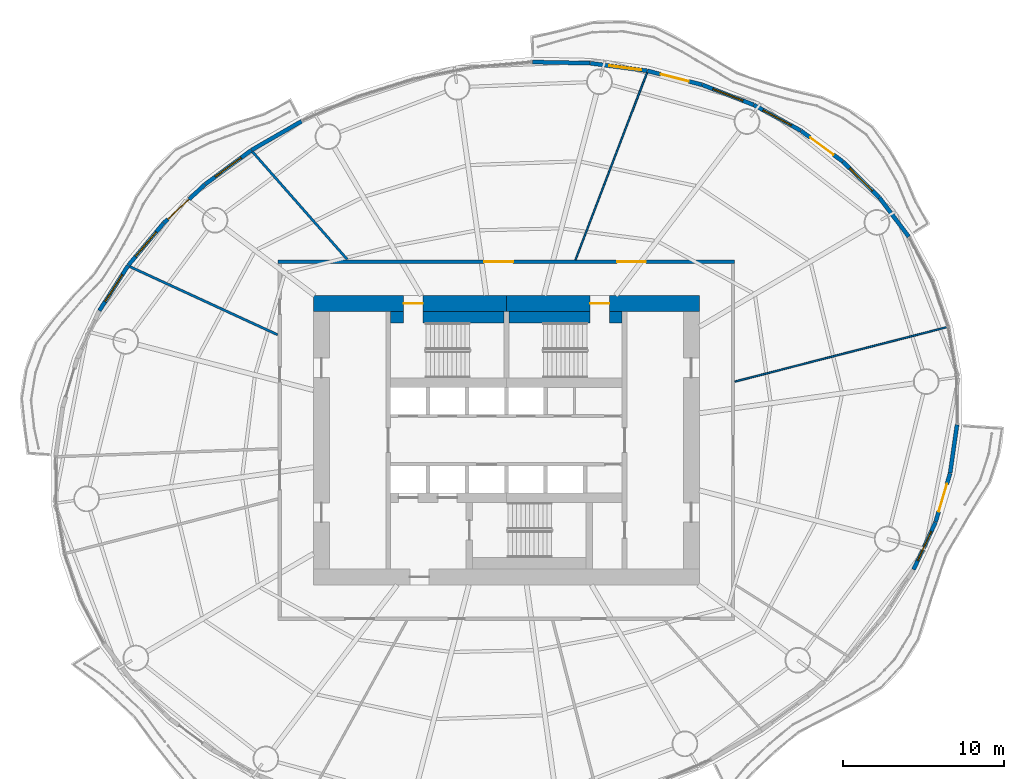
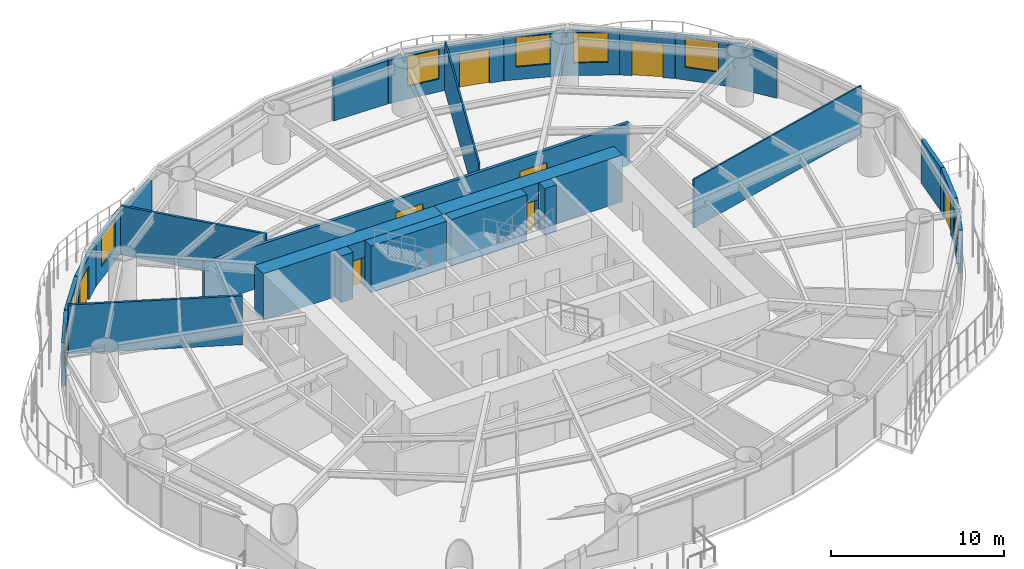
# One storey, part 10 of 17: 27 walls, 8 doors, 8 windows, 16 openings.
"""IFC4 building model written with IfcOpenShell, lengths in metres."""

from ifc_helpers import new_model, si_unit, direction, frame, frame_2d, origin, place, context, subcontext, project, spatial, rectangle, extrude, material, layer, layer_set, type_object, element, fill, save


model = new_model("IFC4")

# Units and contexts
model_context = context("Model", 3, precision=1e-05, world=origin(), true_north=direction((0.0, 1.0)))
body_context = subcontext(model_context, "Body", "Model", "MODEL_VIEW")
ifc_project = project(units=[si_unit("LENGTHUNIT", "METRE"), si_unit("AREAUNIT", "SQUARE_METRE"), si_unit("VOLUMEUNIT", "CUBIC_METRE"), si_unit("PLANEANGLEUNIT", "RADIAN"), si_unit("MASSUNIT", "GRAM", prefix="KILO")], contexts=[model_context])

# Site, building, storey
site_placement = place(None, origin())
site = spatial("IfcSite", under=ifc_project, at=site_placement, CompositionType="ELEMENT")
building_placement = place(site_placement, origin())
building = spatial("IfcBuilding", under=site, at=building_placement, Name="Vermilion Reach Broadcast Tower", CompositionType="ELEMENT")
storey_placement = place(building_placement, frame((0.0, 0.0, 92.199951171875)))
storey = spatial("IfcBuildingStorey", under=building, at=storey_placement, Name="L20", CompositionType="ELEMENT", Elevation=92.199951171875)

# Wall, opening, door
ifc_material_1 = material(Name="Concrete C70", Category="concrete")
ifc_layer_1 = layer(ifc_material_1, 1.0)
ifc_layer_set_1 = layer_set([ifc_layer_1], Name="Core outer wall 1000 mm Concrete C70")
wall_type_1 = type_object("IfcWallType", Name="Core outer wall 1000 mm Concrete C70", PredefinedType="SHEAR", material=ifc_layer_set_1)
wall_1_placement = place(storey_placement, frame((6.0, 8.5, 0.0), z_axis=(0.0, 0.0, 1.0), x_axis=(-1.0, 0.0, 0.0)))
wall_1 = element("IfcWall", 1, at=wall_1_placement, inside=storey, type_object=wall_type_1, Name="L20 core wall onE", PredefinedType="SHEAR", context=body_context, shape_type="SweptSolid", body=[
    extrude(rectangle(XDim=12.0, YDim=1.0, at=frame_2d((6.0, 0.0))), origin(), (0.0, 0.0, 1.0), 3.300048828125),
])
opening_1_placement = place(wall_1_placement, frame((5.60009765625, 0.0, 0.0)))
opening_1 = element("IfcOpeningElement", 2, at=opening_1_placement, cuts=wall_1, Name="Opening D01", PredefinedType="OPENING", context=body_context, shape_type="SweptSolid", body=[
    extrude(rectangle(XDim=1.199951171875, YDim=2.10009765625, at=frame_2d((0.60009765625, 1.050048828125))), frame((0.0, 0.510009765625, 0.0), z_axis=(0.0, -1.0, 0.0), x_axis=(1.0, 0.0, 0.0)), (0.0, 0.0, 1.0), 1.02001953125),
])
ifc_material_2 = material(Name="Painted steel fire door", Category="steel")
door_type_1 = type_object("IfcDoorType", Name="Stair door 1200 x 2100", OperationType="DOUBLE_DOOR_SINGLE_SWING", PredefinedType="NOTDEFINED", material=ifc_material_2)
door_1_placement = place(opening_1_placement, origin())
door_1 = element("IfcDoor", 3, at=door_1_placement, inside=storey, type_object=door_type_1, Name="L20 stair door ST2", OperationType="DOUBLE_DOOR_SINGLE_SWING", OverallHeight=2.10009765625, OverallWidth=1.199951171875, PredefinedType="NOTDEFINED", context=body_context, shape_type="SweptSolid", body=[
    extrude(rectangle(XDim=1.199951171875, YDim=2.10009765625, at=frame_2d((0.60009765625, 1.050048828125))), frame((0.0, 0.02490234375, 0.0), z_axis=(0.0, -1.0, 0.0), x_axis=(1.0, 0.0, 0.0)), (0.0, 0.0, 1.0), 0.050048828125),
])
fill(opening_1, door_1)

wall_2_placement = place(storey_placement, frame((-6.0, 8.5, 0.0), z_axis=(0.0, 0.0, 1.0), x_axis=(-1.0, 0.0, 0.0)))
wall_2 = element("IfcWall", 4, at=wall_2_placement, inside=storey, type_object=wall_type_1, Name="L20 core wall onW", PredefinedType="SHEAR", context=body_context, shape_type="SweptSolid", body=[
    extrude(rectangle(XDim=12.0, YDim=1.0, at=frame_2d((6.0, 0.0))), origin(), (0.0, 0.0, 1.0), 3.300048828125),
])
opening_2_placement = place(wall_2_placement, frame((5.199951171875, 0.0, 0.0)))
opening_2 = element("IfcOpeningElement", 5, at=opening_2_placement, cuts=wall_2, Name="Opening D01", PredefinedType="OPENING", context=body_context, shape_type="SweptSolid", body=[
    extrude(rectangle(XDim=1.199951171875, YDim=2.10009765625, at=frame_2d((0.60009765625, 1.050048828125))), frame((0.0, 0.510009765625, 0.0), z_axis=(0.0, -1.0, 0.0), x_axis=(1.0, 0.0, 0.0)), (0.0, 0.0, 1.0), 1.02001953125),
])
door_2_placement = place(opening_2_placement, origin())
door_2 = element("IfcDoor", 6, at=door_2_placement, inside=storey, type_object=door_type_1, Name="L20 stair door ST1", OperationType="DOUBLE_DOOR_SINGLE_SWING", OverallHeight=2.10009765625, OverallWidth=1.199951171875, PredefinedType="NOTDEFINED", context=body_context, shape_type="SweptSolid", body=[
    extrude(rectangle(XDim=1.199951171875, YDim=2.10009765625, at=frame_2d((0.60009765625, 1.050048828125))), frame((0.0, 0.02490234375, 0.0), z_axis=(0.0, -1.0, 0.0), x_axis=(1.0, 0.0, 0.0)), (0.0, 0.0, 1.0), 0.050048828125),
])
fill(opening_2, door_2)

# Walls
ifc_material_3 = material(Name="Concrete C70", Category="concrete")
ifc_layer_2 = layer(ifc_material_3, 0.699951171875)
ifc_layer_set_2 = layer_set([ifc_layer_2], Name="Core stair wall 700 mm Concrete C70")
wall_type_2 = type_object("IfcWallType", Name="Core stair wall 700 mm Concrete C70", PredefinedType="SHEAR", material=ifc_layer_set_2)
wall_3_placement = place(storey_placement, frame((-13.199951171875, 7.64990234375, 0.0), z_axis=(0.0, 0.0, 1.0), x_axis=(1.0, 0.0, 0.0)))
element("IfcWall", 7, at=wall_3_placement, inside=storey, type_object=wall_type_2, Name="L20 core wall l1a", PredefinedType="SHEAR", context=body_context, shape_type="SweptSolid", body=[
    extrude(rectangle(XDim=0.800048828125, YDim=0.699951171875, at=frame_2d((0.39990234375, 0.0))), origin(), (0.0, 0.0, 1.0), 3.300048828125),
])
for number, where, z_axis, x_axis, name in (
    (8, (-11.199951171875, 7.64990234375, 0.0), (0.0, 0.0, 1.0), (1.0, 0.0, 0.0), "L20 core wall l1b"),
    (9, (-5.85009765625, 7.64990234375, 0.0), (0.0, 0.0, 1.0), (1.0, 0.0, 0.0), "L20 core wall l2a"),
):
    element("IfcWall", number, at=place(storey_placement, frame(where, z_axis=z_axis, x_axis=x_axis)), inside=storey, type_object=wall_type_2, Name=name, PredefinedType="SHEAR", context=body_context, shape_type="SweptSolid", body=[
        extrude(rectangle(XDim=5.050048828125, YDim=0.699951171875, at=frame_2d((2.52490234375, 0.0))), origin(), (0.0, 0.0, 1.0), 3.300048828125),
    ])
wall_4_placement = place(storey_placement, frame((0.39990234375, 7.64990234375, 0.0), z_axis=(0.0, 0.0, 1.0), x_axis=(1.0, 0.0, 0.0)))
element("IfcWall", 10, at=wall_4_placement, inside=storey, type_object=wall_type_2, Name="L20 core wall l2b", PredefinedType="SHEAR", context=body_context, shape_type="SweptSolid", body=[
    extrude(rectangle(XDim=0.800048828125, YDim=0.699951171875, at=frame_2d((0.39990234375, 0.0))), origin(), (0.0, 0.0, 1.0), 3.300048828125),
])
ifc_material_4 = material(Name="Plasterboard on steel stud", Category="steel")
ifc_layer_3 = layer(ifc_material_4, 0.10009765625)
ifc_layer_set_3 = layer_set([ifc_layer_3], Name="Partition 100 steel stud")
wall_type_3 = type_object("IfcWallType", Name="Partition 100 steel stud", PredefinedType="PARTITIONING", material=ifc_layer_set_3)
wall_5_placement = place(storey_placement, frame((21.353515625, 7.023193359375, 0.0), z_axis=(0.0, 0.0, 1.0), x_axis=(-0.968583888686, -0.248687053499, 0.0)))
element("IfcWall", 11, at=wall_5_placement, inside=storey, type_object=wall_type_3, Name="Partition 20.01", PredefinedType="PARTITIONING", context=body_context, shape_type="SweptSolid", body=[
    extrude(rectangle(XDim=13.5673828125, YDim=0.10009765625, at=frame_2d((6.78369140625, 0.0))), origin(), (0.0, 0.0, 1.0), 3.449951171875),
])
wall_6_placement = place(storey_placement, frame((2.742919921875, 22.850830078125, 0.0), z_axis=(0.0, 0.0, 1.0), x_axis=(-0.357347196161, -0.933971617018, 0.0)))
element("IfcWall", 12, at=wall_6_placement, inside=storey, type_object=wall_type_3, Name="Partition 20.02", PredefinedType="PARTITIONING", context=body_context, shape_type="SweptSolid", body=[
    extrude(rectangle(XDim=12.45556640625, YDim=0.10009765625, at=frame_2d((6.227783203125, 0.0))), origin(), (0.0, 0.0, 1.0), 3.449951171875),
])
ifc_material_5 = material(Name="Lightweight concrete block, plastered", Category="concrete")
ifc_layer_4 = layer(ifc_material_5, 0.14990234375)
ifc_layer_set_4 = layer_set([ifc_layer_4], Name="Partition 150 lightweight block")
wall_type_4 = type_object("IfcWallType", Name="Partition 150 lightweight block", PredefinedType="PARTITIONING", material=ifc_layer_set_4)
wall_7_placement = place(storey_placement, frame((-21.789794921875, 17.936279296875, 0.0), z_axis=(0.0, 0.0, 1.0), x_axis=(0.660761943982, -0.750595532484, 0.0)))
element("IfcWall", 13, at=wall_7_placement, inside=storey, type_object=wall_type_4, Name="Partition 20.03", PredefinedType="PARTITIONING", context=body_context, shape_type="SweptSolid", body=[
    extrude(rectangle(XDim=8.90869140625, YDim=0.14990234375, at=frame_2d((4.454345703125, 0.0))), origin(), (0.0, 0.0, 1.0), 3.449951171875),
])
wall_8_placement = place(storey_placement, frame((-29.4208984375, 10.7958984375, 0.0), z_axis=(0.0, 0.0, 1.0), x_axis=(0.908154893972, -0.418634313637, 0.0)))
element("IfcWall", 14, at=wall_8_placement, inside=storey, type_object=wall_type_4, Name="Partition 20.04", PredefinedType="PARTITIONING", context=body_context, shape_type="SweptSolid", body=[
    extrude(rectangle(XDim=10.118896484375, YDim=0.14990234375, at=frame_2d((5.0595703125, 0.0))), origin(), (0.0, 0.0, 1.0), 3.449951171875),
])
ifc_material_6 = material(Name="Terracotta rainscreen cladding", Category="masonry")
ifc_layer_5 = layer(ifc_material_6, 0.25)
ifc_layer_set_5 = layer_set([ifc_layer_5], Name="Terracotta rainscreen wall 250")
wall_type_5 = type_object("IfcWallType", Name="Terracotta rainscreen wall 250", PredefinedType="SOLIDWALL", material=ifc_layer_set_5)
wall_9_placement = place(storey_placement, frame((19.02099609375, 12.657470703125, 0.0), z_axis=(0.0, 0.0, 1.0), x_axis=(-0.600437469508, 0.799671710898, 0.0)))
element("IfcWall", 15, at=wall_9_placement, inside=storey, type_object=wall_type_5, Name="External wall L20 02", PredefinedType="SOLIDWALL", context=body_context, shape_type="SweptSolid", body=[
    extrude(rectangle(XDim=3.035400390625, YDim=0.25, at=frame_2d((1.517578125, 0.0))), origin(), (0.0, 0.0, 1.0), 3.050048828125),
])

# Wall, opening, window
wall_10_placement = place(storey_placement, frame((17.180908203125, 15.104736328125, 0.0), z_axis=(0.0, 0.0, 1.0), x_axis=(-0.712517876271, 0.701653957443, 0.0)))
wall_10 = element("IfcWall", 16, at=wall_10_placement, inside=storey, type_object=wall_type_5, Name="External wall L20 03", PredefinedType="SOLIDWALL", context=body_context, shape_type="SweptSolid", body=[
    extrude(rectangle(XDim=3.146240234375, YDim=0.25, at=frame_2d((1.5732421875, 0.0))), origin(), (0.0, 0.0, 1.0), 3.050048828125),
])
opening_3_placement = place(wall_10_placement, frame((0.5732421875, 0.0, 0.89990234375)))
opening_3 = element("IfcOpeningElement", 17, at=opening_3_placement, cuts=wall_10, Name="Opening W03", PredefinedType="OPENING", context=body_context, shape_type="SweptSolid", body=[
    extrude(rectangle(XDim=2.0, YDim=2.10009765625, at=frame_2d((1.0, 1.050048828125))), frame((0.0, 0.135009765625, 0.0), z_axis=(0.0, -1.0, 0.0), x_axis=(1.0, 0.0, 0.0)), (0.0, 0.0, 1.0), 0.27001953125),
])
ifc_material_7 = material(Name="Low-e laminated clear glass in aluminium frame", Category="aluminium")
window_type = type_object("IfcWindowType", Name="Punched window 2000 x 2100 sill 900", PartitioningType="SINGLE_PANEL", PredefinedType="WINDOW", material=ifc_material_7)
window_1_placement = place(opening_3_placement, origin())
window_1 = element("IfcWindow", 18, at=window_1_placement, inside=storey, type_object=window_type, Name="Window L20 03", OverallHeight=2.10009765625, OverallWidth=2.0, PartitioningType="SINGLE_PANEL", PredefinedType="WINDOW", context=body_context, shape_type="SweptSolid", body=[
    extrude(rectangle(XDim=2.0, YDim=2.10009765625, at=frame_2d((1.0, 1.050048828125))), frame((0.0, 0.030029296875, 0.0), z_axis=(0.0, -1.0, 0.0), x_axis=(1.0, 0.0, 0.0)), (0.0, 0.0, 1.0), 0.06005859375),
])
fill(opening_3, window_1)

# Wall, opening, door
wall_11_placement = place(storey_placement, frame((14.91943359375, 17.3291015625, 0.0), z_axis=(0.0, 0.0, 1.0), x_axis=(-0.804818256087, 0.593521334637, 0.0)))
wall_11 = element("IfcWall", 19, at=wall_11_placement, inside=storey, type_object=wall_type_5, Name="External wall L20 04", PredefinedType="SOLIDWALL", context=body_context, shape_type="SweptSolid", body=[
    extrude(rectangle(XDim=3.2294921875, YDim=0.25, at=frame_2d((1.61474609375, 0.0))), origin(), (0.0, 0.0, 1.0), 3.050048828125),
])
opening_4_placement = place(wall_11_placement, frame((0.715087890625, 0.0, 0.0)))
opening_4 = element("IfcOpeningElement", 20, at=opening_4_placement, cuts=wall_11, Name="Opening D70", PredefinedType="OPENING", context=body_context, shape_type="SweptSolid", body=[
    extrude(rectangle(XDim=1.800048828125, YDim=2.39990234375, at=frame_2d((0.89990234375, 1.199951171875))), frame((0.0, 0.135009765625, 0.0), z_axis=(0.0, -1.0, 0.0), x_axis=(1.0, 0.0, 0.0)), (0.0, 0.0, 1.0), 0.27001953125),
])
ifc_material_8 = material(Name="Low-e laminated clear glass in aluminium frame", Category="aluminium")
door_type_2 = type_object("IfcDoorType", Name="Balcony sliding door 1800 x 2400", OperationType="DOUBLE_DOOR_SLIDING", PredefinedType="DOOR", material=ifc_material_8)
door_3_placement = place(opening_4_placement, origin())
door_3 = element("IfcDoor", 21, at=door_3_placement, inside=storey, type_object=door_type_2, Name="Balcony door L20 run 01", OperationType="DOUBLE_DOOR_SLIDING", OverallHeight=2.39990234375, OverallWidth=1.800048828125, PredefinedType="DOOR", context=body_context, shape_type="SweptSolid", body=[
    extrude(rectangle(XDim=1.800048828125, YDim=2.39990234375, at=frame_2d((0.89990234375, 1.199951171875))), frame((0.0, 0.02490234375, 0.0), z_axis=(0.0, -1.0, 0.0), x_axis=(1.0, 0.0, 0.0)), (0.0, 0.0, 1.0), 0.050048828125),
])
fill(opening_4, door_3)

# Wall, opening, window
wall_12_placement = place(storey_placement, frame((12.29931640625, 19.25927734375, 0.0), z_axis=(0.0, 0.0, 1.0), x_axis=(-0.877535565007, 0.479511555803, 0.0)))
wall_12 = element("IfcWall", 22, at=wall_12_placement, inside=storey, type_object=wall_type_5, Name="External wall L20 05", PredefinedType="SOLIDWALL", context=body_context, shape_type="SweptSolid", body=[
    extrude(rectangle(XDim=3.319580078125, YDim=0.25, at=frame_2d((1.65966796875, 0.0))), origin(), (0.0, 0.0, 1.0), 3.050048828125),
])
opening_5_placement = place(wall_12_placement, frame((0.659912109375, 0.0, 0.89990234375)))
opening_5 = element("IfcOpeningElement", 23, at=opening_5_placement, cuts=wall_12, Name="Opening W03", PredefinedType="OPENING", context=body_context, shape_type="SweptSolid", body=[
    extrude(rectangle(XDim=2.0, YDim=2.10009765625, at=frame_2d((1.0, 1.050048828125))), frame((0.0, 0.135009765625, 0.0), z_axis=(0.0, -1.0, 0.0), x_axis=(1.0, 0.0, 0.0)), (0.0, 0.0, 1.0), 0.27001953125),
])
window_2_placement = place(opening_5_placement, origin())
window_2 = element("IfcWindow", 24, at=window_2_placement, inside=storey, type_object=window_type, Name="Window L20 05", OverallHeight=2.10009765625, OverallWidth=2.0, PartitioningType="SINGLE_PANEL", PredefinedType="WINDOW", context=body_context, shape_type="SweptSolid", body=[
    extrude(rectangle(XDim=2.0, YDim=2.10009765625, at=frame_2d((1.0, 1.050048828125))), frame((0.0, 0.030029296875, 0.0), z_axis=(0.0, -1.0, 0.0), x_axis=(1.0, 0.0, 0.0)), (0.0, 0.0, 1.0), 0.06005859375),
])
fill(opening_5, window_2)

wall_13_placement = place(storey_placement, frame((9.364501953125, 20.861328125, 0.0), z_axis=(0.0, 0.0, 1.0), x_axis=(-0.931689933138, 0.363254550541, 0.0)))
wall_13 = element("IfcWall", 25, at=wall_13_placement, inside=storey, type_object=wall_type_5, Name="External wall L20 06", PredefinedType="SOLIDWALL", context=body_context, shape_type="SweptSolid", body=[
    extrude(rectangle(XDim=3.41015625, YDim=0.25, at=frame_2d((1.705078125, 0.0))), origin(), (0.0, 0.0, 1.0), 3.050048828125),
])
opening_6_placement = place(wall_13_placement, frame((0.705078125, 0.0, 0.89990234375)))
opening_6 = element("IfcOpeningElement", 26, at=opening_6_placement, cuts=wall_13, Name="Opening W03", PredefinedType="OPENING", context=body_context, shape_type="SweptSolid", body=[
    extrude(rectangle(XDim=2.0, YDim=2.10009765625, at=frame_2d((1.0, 1.050048828125))), frame((0.0, 0.135009765625, 0.0), z_axis=(0.0, -1.0, 0.0), x_axis=(1.0, 0.0, 0.0)), (0.0, 0.0, 1.0), 0.27001953125),
])
window_3_placement = place(opening_6_placement, origin())
window_3 = element("IfcWindow", 27, at=window_3_placement, inside=storey, type_object=window_type, Name="Window L20 06", OverallHeight=2.10009765625, OverallWidth=2.0, PartitioningType="SINGLE_PANEL", PredefinedType="WINDOW", context=body_context, shape_type="SweptSolid", body=[
    extrude(rectangle(XDim=2.0, YDim=2.10009765625, at=frame_2d((1.0, 1.050048828125))), frame((0.0, 0.030029296875, 0.0), z_axis=(0.0, -1.0, 0.0), x_axis=(1.0, 0.0, 0.0)), (0.0, 0.0, 1.0), 0.06005859375),
])
fill(opening_6, window_3)

# Wall, opening, door
wall_14_placement = place(storey_placement, frame((6.1650390625, 22.107421875, 0.0), z_axis=(0.0, 0.0, 1.0), x_axis=(-0.969010602055, 0.247019135097, 0.0)))
wall_14 = element("IfcWall", 28, at=wall_14_placement, inside=storey, type_object=wall_type_5, Name="External wall L20 07", PredefinedType="SOLIDWALL", context=body_context, shape_type="SweptSolid", body=[
    extrude(rectangle(XDim=3.495849609375, YDim=0.25, at=frame_2d((1.748046875, 0.0))), origin(), (0.0, 0.0, 1.0), 3.050048828125),
])
opening_7_placement = place(wall_14_placement, frame((0.847900390625, 0.0, 0.0)))
opening_7 = element("IfcOpeningElement", 29, at=opening_7_placement, cuts=wall_14, Name="Opening D70", PredefinedType="OPENING", context=body_context, shape_type="SweptSolid", body=[
    extrude(rectangle(XDim=1.800048828125, YDim=2.39990234375, at=frame_2d((0.89990234375, 1.199951171875))), frame((0.0, 0.135009765625, 0.0), z_axis=(0.0, -1.0, 0.0), x_axis=(1.0, 0.0, 0.0)), (0.0, 0.0, 1.0), 0.27001953125),
])
door_4_placement = place(opening_7_placement, origin())
door_4 = element("IfcDoor", 30, at=door_4_placement, inside=storey, type_object=door_type_2, Name="Balcony door L20 run 02", OperationType="DOUBLE_DOOR_SLIDING", OverallHeight=2.39990234375, OverallWidth=1.800048828125, PredefinedType="DOOR", context=body_context, shape_type="SweptSolid", body=[
    extrude(rectangle(XDim=1.800048828125, YDim=2.39990234375, at=frame_2d((0.89990234375, 1.199951171875))), frame((0.0, 0.02490234375, 0.0), z_axis=(0.0, -1.0, 0.0), x_axis=(1.0, 0.0, 0.0)), (0.0, 0.0, 1.0), 0.050048828125),
])
fill(opening_7, door_4)

# Wall, opening, window
wall_15_placement = place(storey_placement, frame((2.75537109375, 22.97509765625, 0.0), z_axis=(0.0, 0.0, 1.0), x_axis=(-0.991208182453, 0.132311522699, 0.0)))
wall_15 = element("IfcWall", 31, at=wall_15_placement, inside=storey, type_object=wall_type_5, Name="External wall L20 08", PredefinedType="SOLIDWALL", context=body_context, shape_type="SweptSolid", body=[
    extrude(rectangle(XDim=3.570556640625, YDim=0.25, at=frame_2d((1.78515625, 0.0))), origin(), (0.0, 0.0, 1.0), 3.050048828125),
])
opening_8_placement = place(wall_15_placement, frame((0.385009765625, 0.0, 0.89990234375)))
opening_8 = element("IfcOpeningElement", 32, at=opening_8_placement, cuts=wall_15, Name="Opening W03", PredefinedType="OPENING", context=body_context, shape_type="SweptSolid", body=[
    extrude(rectangle(XDim=2.0, YDim=2.10009765625, at=frame_2d((1.0, 1.050048828125))), frame((0.0, 0.135009765625, 0.0), z_axis=(0.0, -1.0, 0.0), x_axis=(1.0, 0.0, 0.0)), (0.0, 0.0, 1.0), 0.27001953125),
])
window_4_placement = place(opening_8_placement, origin())
window_4 = element("IfcWindow", 33, at=window_4_placement, inside=storey, type_object=window_type, Name="Window L20 08", OverallHeight=2.10009765625, OverallWidth=2.0, PartitioningType="SINGLE_PANEL", PredefinedType="WINDOW", context=body_context, shape_type="SweptSolid", body=[
    extrude(rectangle(XDim=2.0, YDim=2.10009765625, at=frame_2d((1.0, 1.050048828125))), frame((0.0, 0.030029296875, 0.0), z_axis=(0.0, -1.0, 0.0), x_axis=(1.0, 0.0, 0.0)), (0.0, 0.0, 1.0), 0.06005859375),
])
fill(opening_8, window_4)

# Walls
wall_16_placement = place(storey_placement, frame((-0.8056640625, 23.44921875, 0.0), z_axis=(0.0, 0.0, 1.0), x_axis=(-0.999799651437, 0.020016417945, 0.0)))
element("IfcWall", 34, at=wall_16_placement, inside=storey, type_object=wall_type_5, Name="External wall L20 09", PredefinedType="SOLIDWALL", context=body_context, shape_type="SweptSolid", body=[
    extrude(rectangle(XDim=3.5859375, YDim=0.25, at=frame_2d((1.79296875, 0.0))), origin(), (0.0, 0.0, 1.0), 3.050048828125),
])
wall_17_placement = place(storey_placement, frame((-18.7412109375, 19.83642578125, 0.0), z_axis=(0.0, 0.0, 1.0), x_axis=(-0.866511818646, -0.49915655675, 0.0)))
element("IfcWall", 35, at=wall_17_placement, inside=storey, type_object=wall_type_5, Name="External wall L20 14", PredefinedType="SOLIDWALL", context=body_context, shape_type="SweptSolid", body=[
    extrude(rectangle(XDim=3.586181640625, YDim=0.25, at=frame_2d((1.79296875, 0.0))), origin(), (0.0, 0.0, 1.0), 3.050048828125),
])

# Wall, opening, window
wall_18_placement = place(storey_placement, frame((-21.8671875, 18.0341796875, 0.0), z_axis=(0.0, 0.0, 1.0), x_axis=(-0.804847820355, -0.593481243234, 0.0)))
wall_18 = element("IfcWall", 36, at=wall_18_placement, inside=storey, type_object=wall_type_5, Name="External wall L20 15", PredefinedType="SOLIDWALL", context=body_context, shape_type="SweptSolid", body=[
    extrude(rectangle(XDim=3.5703125, YDim=0.25, at=frame_2d((1.78515625, 0.0))), origin(), (0.0, 0.0, 1.0), 3.050048828125),
])
opening_9_placement = place(wall_18_placement, frame((0.78515625, 0.0, 0.89990234375)))
opening_9 = element("IfcOpeningElement", 37, at=opening_9_placement, cuts=wall_18, Name="Opening W03", PredefinedType="OPENING", context=body_context, shape_type="SweptSolid", body=[
    extrude(rectangle(XDim=2.0, YDim=2.10009765625, at=frame_2d((1.0, 1.050048828125))), frame((0.0, 0.135009765625, 0.0), z_axis=(0.0, -1.0, 0.0), x_axis=(1.0, 0.0, 0.0)), (0.0, 0.0, 1.0), 0.27001953125),
])
window_5_placement = place(opening_9_placement, origin())
window_5 = element("IfcWindow", 38, at=window_5_placement, inside=storey, type_object=window_type, Name="Window L20 15", OverallHeight=2.10009765625, OverallWidth=2.0, PartitioningType="SINGLE_PANEL", PredefinedType="WINDOW", context=body_context, shape_type="SweptSolid", body=[
    extrude(rectangle(XDim=2.0, YDim=2.10009765625, at=frame_2d((1.0, 1.050048828125))), frame((0.0, 0.030029296875, 0.0), z_axis=(0.0, -1.0, 0.0), x_axis=(1.0, 0.0, 0.0)), (0.0, 0.0, 1.0), 0.06005859375),
])
fill(opening_9, window_5)

# Wall, opening, door
wall_19_placement = place(storey_placement, frame((-24.75830078125, 15.90087890625, 0.0), z_axis=(0.0, 0.0, 1.0), x_axis=(-0.730116287539, -0.68332291537, 0.0)))
wall_19 = element("IfcWall", 39, at=wall_19_placement, inside=storey, type_object=wall_type_5, Name="External wall L20 16", PredefinedType="SOLIDWALL", context=body_context, shape_type="SweptSolid", body=[
    extrude(rectangle(XDim=3.49560546875, YDim=0.25, at=frame_2d((1.747802734375, 0.0))), origin(), (0.0, 0.0, 1.0), 3.050048828125),
])
opening_10_placement = place(wall_19_placement, frame((1.347900390625, 0.0, 0.0)))
opening_10 = element("IfcOpeningElement", 40, at=opening_10_placement, cuts=wall_19, Name="Opening D70", PredefinedType="OPENING", context=body_context, shape_type="SweptSolid", body=[
    extrude(rectangle(XDim=1.800048828125, YDim=2.39990234375, at=frame_2d((0.89990234375, 1.199951171875))), frame((0.0, 0.135009765625, 0.0), z_axis=(0.0, -1.0, 0.0), x_axis=(1.0, 0.0, 0.0)), (0.0, 0.0, 1.0), 0.27001953125),
])
door_5_placement = place(opening_10_placement, origin())
door_5 = element("IfcDoor", 41, at=door_5_placement, inside=storey, type_object=door_type_2, Name="Balcony door L20 run 04", OperationType="DOUBLE_DOOR_SLIDING", OverallHeight=2.39990234375, OverallWidth=1.800048828125, PredefinedType="DOOR", context=body_context, shape_type="SweptSolid", body=[
    extrude(rectangle(XDim=1.800048828125, YDim=2.39990234375, at=frame_2d((0.89990234375, 1.199951171875))), frame((0.0, 0.02490234375, 0.0), z_axis=(0.0, -1.0, 0.0), x_axis=(1.0, 0.0, 0.0)), (0.0, 0.0, 1.0), 0.050048828125),
])
fill(opening_10, door_5)

# Wall, opening, window
wall_20_placement = place(storey_placement, frame((-27.326416015625, 13.495361328125, 0.0), z_axis=(0.0, 0.0, 1.0), x_axis=(-0.641415804232, -0.767193434593, 0.0)))
wall_20 = element("IfcWall", 42, at=wall_20_placement, inside=storey, type_object=wall_type_5, Name="External wall L20 17", PredefinedType="SOLIDWALL", context=body_context, shape_type="SweptSolid", body=[
    extrude(rectangle(XDim=3.410400390625, YDim=0.25, at=frame_2d((1.705078125, 0.0))), origin(), (0.0, 0.0, 1.0), 3.050048828125),
])
opening_11_placement = place(wall_20_placement, frame((0.705078125, 0.0, 0.89990234375)))
opening_11 = element("IfcOpeningElement", 43, at=opening_11_placement, cuts=wall_20, Name="Opening W03", PredefinedType="OPENING", context=body_context, shape_type="SweptSolid", body=[
    extrude(rectangle(XDim=2.0, YDim=2.10009765625, at=frame_2d((1.0, 1.050048828125))), frame((0.0, 0.135009765625, 0.0), z_axis=(0.0, -1.0, 0.0), x_axis=(1.0, 0.0, 0.0)), (0.0, 0.0, 1.0), 0.27001953125),
])
window_6_placement = place(opening_11_placement, origin())
window_6 = element("IfcWindow", 44, at=window_6_placement, inside=storey, type_object=window_type, Name="Window L20 17", OverallHeight=2.10009765625, OverallWidth=2.0, PartitioningType="SINGLE_PANEL", PredefinedType="WINDOW", context=body_context, shape_type="SweptSolid", body=[
    extrude(rectangle(XDim=2.0, YDim=2.10009765625, at=frame_2d((1.0, 1.050048828125))), frame((0.0, 0.030029296875, 0.0), z_axis=(0.0, -1.0, 0.0), x_axis=(1.0, 0.0, 0.0)), (0.0, 0.0, 1.0), 0.06005859375),
])
fill(opening_11, window_6)

wall_21_placement = place(storey_placement, frame((-29.5283203125, 10.859619140625, 0.0), z_axis=(0.0, 0.0, 1.0), x_axis=(-0.537922040575, -0.8429945897, 0.0)))
wall_21 = element("IfcWall", 45, at=wall_21_placement, inside=storey, type_object=wall_type_5, Name="External wall L20 18", PredefinedType="SOLIDWALL", context=body_context, shape_type="SweptSolid", body=[
    extrude(rectangle(XDim=3.319580078125, YDim=0.25, at=frame_2d((1.65966796875, 0.0))), origin(), (0.0, 0.0, 1.0), 3.050048828125),
])
opening_12_placement = place(wall_21_placement, frame((0.659912109375, 0.0, 0.89990234375)))
opening_12 = element("IfcOpeningElement", 46, at=opening_12_placement, cuts=wall_21, Name="Opening W03", PredefinedType="OPENING", context=body_context, shape_type="SweptSolid", body=[
    extrude(rectangle(XDim=2.0, YDim=2.10009765625, at=frame_2d((1.0, 1.050048828125))), frame((0.0, 0.135009765625, 0.0), z_axis=(0.0, -1.0, 0.0), x_axis=(1.0, 0.0, 0.0)), (0.0, 0.0, 1.0), 0.27001953125),
])
window_7_placement = place(opening_12_placement, origin())
window_7 = element("IfcWindow", 47, at=window_7_placement, inside=storey, type_object=window_type, Name="Window L20 18", OverallHeight=2.10009765625, OverallWidth=2.0, PartitioningType="SINGLE_PANEL", PredefinedType="WINDOW", context=body_context, shape_type="SweptSolid", body=[
    extrude(rectangle(XDim=2.0, YDim=2.10009765625, at=frame_2d((1.0, 1.050048828125))), frame((0.0, 0.030029296875, 0.0), z_axis=(0.0, -1.0, 0.0), x_axis=(1.0, 0.0, 0.0)), (0.0, 0.0, 1.0), 0.06005859375),
])
fill(opening_12, window_7)

wall_22_placement = place(storey_placement, frame((19.325927734375, -8.039306640625, 0.0), z_axis=(0.0, 0.0, 1.0), x_axis=(0.41936019053, 0.907819932916, 0.0)))
wall_22 = element("IfcWall", 48, at=wall_22_placement, inside=storey, type_object=wall_type_5, Name="External wall L20 43", PredefinedType="SOLIDWALL", context=body_context, shape_type="SweptSolid", body=[
    extrude(rectangle(XDim=3.229248046875, YDim=0.25, at=frame_2d((1.61474609375, 0.0))), origin(), (0.0, 0.0, 1.0), 3.050048828125),
])
opening_13_placement = place(wall_22_placement, frame((0.61474609375, 0.0, 0.89990234375)))
opening_13 = element("IfcOpeningElement", 49, at=opening_13_placement, cuts=wall_22, Name="Opening W03", PredefinedType="OPENING", context=body_context, shape_type="SweptSolid", body=[
    extrude(rectangle(XDim=2.0, YDim=2.10009765625, at=frame_2d((1.0, 1.050048828125))), frame((0.0, 0.135009765625, 0.0), z_axis=(0.0, -1.0, 0.0), x_axis=(1.0, 0.0, 0.0)), (0.0, 0.0, 1.0), 0.27001953125),
])
window_8_placement = place(opening_13_placement, origin())
window_8 = element("IfcWindow", 50, at=window_8_placement, inside=storey, type_object=window_type, Name="Window L20 43", OverallHeight=2.10009765625, OverallWidth=2.0, PartitioningType="SINGLE_PANEL", PredefinedType="WINDOW", context=body_context, shape_type="SweptSolid", body=[
    extrude(rectangle(XDim=2.0, YDim=2.10009765625, at=frame_2d((1.0, 1.050048828125))), frame((0.0, 0.030029296875, 0.0), z_axis=(0.0, -1.0, 0.0), x_axis=(1.0, 0.0, 0.0)), (0.0, 0.0, 1.0), 0.06005859375),
])
fill(opening_13, window_8)

# Wall, opening, door
wall_23_placement = place(storey_placement, frame((20.689453125, -5.08349609375, 0.0), z_axis=(0.0, 0.0, 1.0), x_axis=(0.286322623224, 0.958133266008, 0.0)))
wall_23 = element("IfcWall", 51, at=wall_23_placement, inside=storey, type_object=wall_type_5, Name="External wall L20 44", PredefinedType="SOLIDWALL", context=body_context, shape_type="SweptSolid", body=[
    extrude(rectangle(XDim=3.146484375, YDim=0.25, at=frame_2d((1.5732421875, 0.0))), origin(), (0.0, 0.0, 1.0), 3.050048828125),
])
opening_14_placement = place(wall_23_placement, frame((0.673095703125, 0.0, 0.0)))
opening_14 = element("IfcOpeningElement", 52, at=opening_14_placement, cuts=wall_23, Name="Opening D70", PredefinedType="OPENING", context=body_context, shape_type="SweptSolid", body=[
    extrude(rectangle(XDim=1.800048828125, YDim=2.39990234375, at=frame_2d((0.89990234375, 1.199951171875))), frame((0.0, 0.135009765625, 0.0), z_axis=(0.0, -1.0, 0.0), x_axis=(1.0, 0.0, 0.0)), (0.0, 0.0, 1.0), 0.27001953125),
])
door_6_placement = place(opening_14_placement, origin())
door_6 = element("IfcDoor", 53, at=door_6_placement, inside=storey, type_object=door_type_2, Name="Balcony door L20 run 11", OperationType="DOUBLE_DOOR_SLIDING", OverallHeight=2.39990234375, OverallWidth=1.800048828125, PredefinedType="DOOR", context=body_context, shape_type="SweptSolid", body=[
    extrude(rectangle(XDim=1.800048828125, YDim=2.39990234375, at=frame_2d((0.89990234375, 1.199951171875))), frame((0.0, 0.02490234375, 0.0), z_axis=(0.0, -1.0, 0.0), x_axis=(1.0, 0.0, 0.0)), (0.0, 0.0, 1.0), 0.050048828125),
])
fill(opening_14, door_6)

# Wall
wall_24_placement = place(storey_placement, frame((21.595947265625, -2.04296875, 0.0), z_axis=(0.0, 0.0, 1.0), x_axis=(0.140993456439, 0.990010527844, 0.0)))
element("IfcWall", 54, at=wall_24_placement, inside=storey, type_object=wall_type_5, Name="External wall L20 45", PredefinedType="SOLIDWALL", context=body_context, shape_type="SweptSolid", body=[
    extrude(rectangle(XDim=3.035400390625, YDim=0.25, at=frame_2d((1.517578125, 0.0))), origin(), (0.0, 0.0, 1.0), 3.050048828125),
])

# Wall, openings, doors
ifc_material_9 = material(Name="Fire-rated gypsum board partition")
ifc_layer_6 = layer(ifc_material_9, 0.199951171875)
ifc_layer_set_6 = layer_set([ifc_layer_6], Name="Under girder: Corridor wall 200 fire-rated")
wall_type_6 = type_object("IfcWallType", Name="Under girder: Corridor wall 200 fire-rated", PredefinedType="PARTITIONING", material=ifc_layer_set_6)
wall_25_placement = place(storey_placement, frame((-20.199951171875, 11.10009765625, 0.0), z_axis=(0.0, 0.0, 1.0), x_axis=(1.0, 0.0, 0.0)))
wall_25 = element("IfcWall", 55, at=wall_25_placement, inside=storey, type_object=wall_type_6, Name="Corridor wall 20.N", PredefinedType="PARTITIONING", context=body_context, shape_type="SweptSolid", body=[
    extrude(rectangle(XDim=28.39990234375, YDim=0.199951171875, at=frame_2d((14.199951171875, 0.0))), origin(), (0.0, 0.0, 1.0), 3.0),
])
opening_15_placement = place(wall_25_placement, frame((21.07958984375, 0.0, 0.0)))
opening_15 = element("IfcOpeningElement", 56, at=opening_15_placement, cuts=wall_25, Name="Opening D21", PredefinedType="OPENING", context=body_context, shape_type="SweptSolid", body=[
    extrude(rectangle(XDim=1.800048828125, YDim=2.10009765625, at=frame_2d((0.89990234375, 1.050048828125))), frame((0.0, 0.10986328125, 0.0), z_axis=(0.0, -1.0, 0.0), x_axis=(1.0, 0.0, 0.0)), (0.0, 0.0, 1.0), 0.219970703125),
])
opening_16_placement = place(wall_25_placement, frame((12.811767578125, 0.0, 0.0)))
opening_16 = element("IfcOpeningElement", 57, at=opening_16_placement, cuts=wall_25, Name="Opening D21", PredefinedType="OPENING", context=body_context, shape_type="SweptSolid", body=[
    extrude(rectangle(XDim=1.800048828125, YDim=2.10009765625, at=frame_2d((0.89990234375, 1.050048828125))), frame((0.0, 0.10986328125, 0.0), z_axis=(0.0, -1.0, 0.0), x_axis=(1.0, 0.0, 0.0)), (0.0, 0.0, 1.0), 0.219970703125),
])
ifc_material_10 = material(Name="Timber door leaf", Category="wood")
door_type_3 = type_object("IfcDoorType", Name="Door pair 1800x2100", OperationType="NOTDEFINED", PredefinedType="DOOR", material=ifc_material_10)
door_7_placement = place(opening_15_placement, origin())
door_7 = element("IfcDoor", 58, at=door_7_placement, inside=storey, type_object=door_type_3, Name="Door 20.01", OperationType="DOUBLE_DOOR_SINGLE_SWING", OverallHeight=2.10009765625, OverallWidth=1.800048828125, PredefinedType="DOOR", context=body_context, shape_type="SweptSolid", body=[
    extrude(rectangle(XDim=1.800048828125, YDim=2.10009765625, at=frame_2d((0.89990234375, 1.050048828125))), frame((0.0, 0.02490234375, 0.0), z_axis=(0.0, -1.0, 0.0), x_axis=(1.0, 0.0, 0.0)), (0.0, 0.0, 1.0), 0.050048828125),
])
fill(opening_15, door_7)
door_8_placement = place(opening_16_placement, origin())
door_8 = element("IfcDoor", 59, at=door_8_placement, inside=storey, type_object=door_type_3, Name="Door 20.02", OperationType="DOUBLE_DOOR_SINGLE_SWING", OverallHeight=2.10009765625, OverallWidth=1.800048828125, PredefinedType="DOOR", context=body_context, shape_type="SweptSolid", body=[
    extrude(rectangle(XDim=1.800048828125, YDim=2.10009765625, at=frame_2d((0.89990234375, 1.050048828125))), frame((0.0, 0.02490234375, 0.0), z_axis=(0.0, -1.0, 0.0), x_axis=(1.0, 0.0, 0.0)), (0.0, 0.0, 1.0), 0.050048828125),
])
fill(opening_16, door_8)

save(model, "model.ifc")
